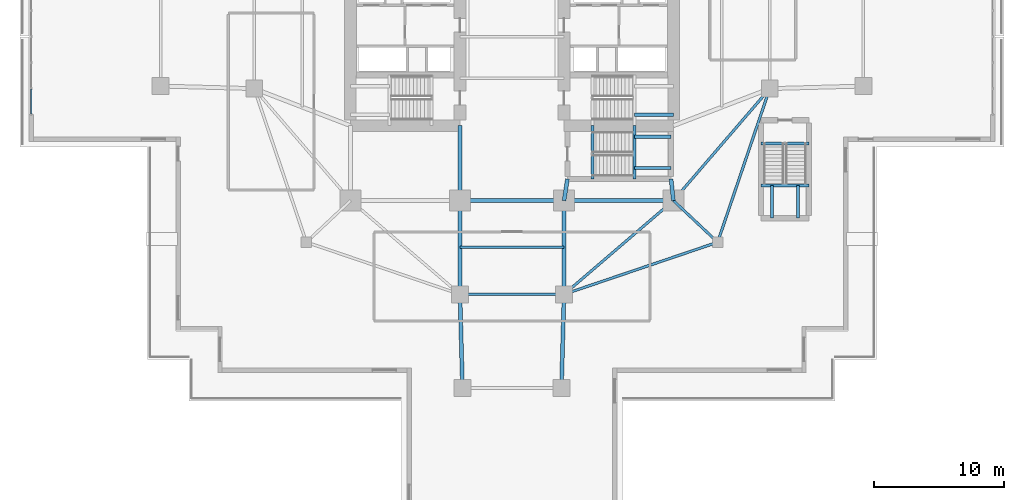
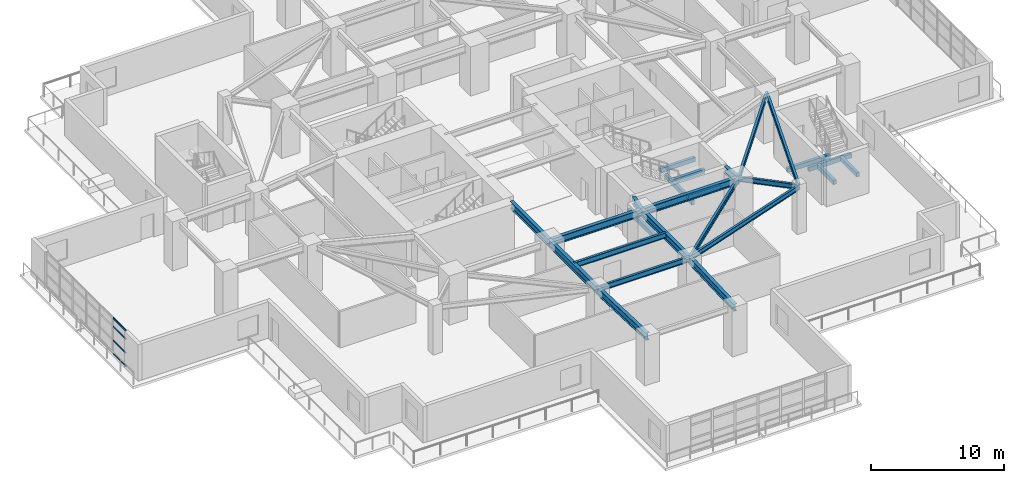
# One storey, part 6 of 24: 25 beams, 4 members, 1 element without a shape of its own.
"""IFC4 building model written with IfcOpenShell, lengths in metres."""

from ifc_helpers import new_model, si_unit, direction, frame, origin, origin_2d, place, context, subcontext, project, spatial, rectangle, hollow_rectangle, i_section, extrude, material, layer, layer_set, material_profile, profile_set, type_object, element, aggregate, save


model = new_model("IFC4")

# Units and contexts
model_context = context("Model", 3, precision=1e-05, world=origin(), true_north=direction((0.0, 1.0)))
body_context = subcontext(model_context, "Body", "Model", "MODEL_VIEW")
ifc_project = project(units=[si_unit("LENGTHUNIT", "METRE"), si_unit("AREAUNIT", "SQUARE_METRE"), si_unit("VOLUMEUNIT", "CUBIC_METRE"), si_unit("PLANEANGLEUNIT", "RADIAN"), si_unit("MASSUNIT", "GRAM", prefix="KILO")], contexts=[model_context])

# Site, building, storey
site_placement = place(None, origin())
site = spatial("IfcSite", under=ifc_project, at=site_placement, CompositionType="ELEMENT")
building_placement = place(site_placement, origin())
building = spatial("IfcBuilding", under=site, at=building_placement, Name="Qingluan Cross Belvedere", CompositionType="ELEMENT")
storey_placement = place(building_placement, frame((0.0, 0.0, 14.699951171875)))
storey = spatial("IfcBuildingStorey", under=building, at=storey_placement, Name="L04", CompositionType="ELEMENT", Elevation=14.699951171875)

# Curtain wall, members
ifc_material_1 = material(Name="Thermally broken aluminium and Low-E glass", Category="aluminium")
ifc_layer = layer(ifc_material_1, 0.219970703125, Name="UnitisedCW_BallroomFoyer")
ifc_layer_set = layer_set([ifc_layer], Name="Thermally broken aluminium and Low-E glass")
curtain_wall_type = type_object("IfcCurtainWallType", Name="UnitisedCW_BallroomFoyer", PredefinedType="USERDEFINED", material=ifc_layer_set)
curtain_wall_placement = place(storey_placement, origin())
curtain_wall = element("IfcCurtainWall", 1, at=curtain_wall_placement, inside=storey, type_object=curtain_wall_type, Name="UnitisedCW_BallroomFoyer run env:cw:L04:W", ObjectType="UNITISED CURTAIN WALL", PredefinedType="USERDEFINED")
ifc_material_2 = material(Name="Aluminium alloy 6063-T6", Category="aluminium")
ifc_material_profile_1 = material_profile(ifc_material_2, hollow_rectangle(XDim=0.074951171875, YDim=0.14990234375, WallThickness=0.00390625, InnerFilletRadius=0.00390625, OuterFilletRadius=0.008056640625, at=origin_2d()), Name="CWT150x75x4")
ifc_profile_set_1 = profile_set([ifc_material_profile_1], Name="Aluminium alloy 6063-T6")
member_type = type_object("IfcMemberType", Name="CWTransom_150", PredefinedType="USERDEFINED", material=ifc_profile_set_1)
member_1_placement = place(storey_placement, frame((-36.93994140625, -5.93994140625, 0.030029296875), z_axis=(0.0, 1.0, 0.0), x_axis=(-1.0, 0.0, 0.0)))
member_1 = element("IfcMember", 2, at=member_1_placement, type_object=member_type, Name="CW-P2 transom 1.1", ObjectType="TRANSOM", PredefinedType="USERDEFINED", context=body_context, shape_type="SweptSolid", body=[
    extrude(hollow_rectangle(XDim=0.074951171875, YDim=0.14990234375, WallThickness=0.00390625, InnerFilletRadius=0.00390625, OuterFilletRadius=0.008056640625, at=origin_2d()), origin(), (0.0, 0.0, 1.0), 1.909912109375),
])
member_2_placement = place(storey_placement, frame((-36.93994140625, -5.93994140625, 1.26513671875), z_axis=(0.0, 1.0, 0.0), x_axis=(-1.0, 0.0, 0.0)))
member_2 = element("IfcMember", 3, at=member_2_placement, type_object=member_type, Name="CW-P2 transom 1.2", ObjectType="TRANSOM", PredefinedType="USERDEFINED", context=body_context, shape_type="SweptSolid", body=[
    extrude(hollow_rectangle(XDim=0.074951171875, YDim=0.14990234375, WallThickness=0.00390625, InnerFilletRadius=0.00390625, OuterFilletRadius=0.008056640625, at=origin_2d()), origin(), (0.0, 0.0, 1.0), 1.909912109375),
])
member_3_placement = place(storey_placement, frame((-36.93994140625, -5.93994140625, 2.531005859375), z_axis=(0.0, 1.0, 0.0), x_axis=(-1.0, 0.0, 0.0)))
member_3 = element("IfcMember", 4, at=member_3_placement, type_object=member_type, Name="CW-P2 transom 1.3", ObjectType="TRANSOM", PredefinedType="USERDEFINED", context=body_context, shape_type="SweptSolid", body=[
    extrude(hollow_rectangle(XDim=0.074951171875, YDim=0.14990234375, WallThickness=0.00390625, InnerFilletRadius=0.00390625, OuterFilletRadius=0.008056640625, at=origin_2d()), origin(), (0.0, 0.0, 1.0), 1.909912109375),
])
member_4_placement = place(storey_placement, frame((-36.93994140625, -5.93994140625, 3.300048828125), z_axis=(0.0, 1.0, 0.0), x_axis=(-1.0, 0.0, 0.0)))
member_4 = element("IfcMember", 5, at=member_4_placement, type_object=member_type, Name="CW-P2 transom 1.4", ObjectType="TRANSOM", PredefinedType="USERDEFINED", context=body_context, shape_type="SweptSolid", body=[
    extrude(hollow_rectangle(XDim=0.074951171875, YDim=0.14990234375, WallThickness=0.00390625, InnerFilletRadius=0.00390625, OuterFilletRadius=0.008056640625, at=origin_2d()), origin(), (0.0, 0.0, 1.0), 1.909912109375),
])
aggregate(curtain_wall, [member_1, member_2, member_3, member_4])

# Beams
ifc_material_3 = material(Name="Concrete C45", Category="concrete")
ifc_material_profile_2 = material_profile(ifc_material_3, rectangle(XDim=0.25, YDim=0.39990234375, at=origin_2d()), Name="RC250x400")
ifc_profile_set_2 = profile_set([ifc_material_profile_2], Name="Concrete C45")
beam_type_1 = type_object("IfcBeamType", Name="RC_Lintel_RC250x400", PredefinedType="LINTEL", material=ifc_profile_set_2)
beam_1_placement = place(storey_placement, frame((6.179931640625, -10.93994140625, -0.199951171875), z_axis=(0.0, 1.0, 0.0), x_axis=(-1.0, 0.0, 0.0)))
element("IfcBeam", 6, at=beam_1_placement, inside=storey, type_object=beam_type_1, Name="Stair ST4 landing beam L04", PredefinedType="LINTEL", context=body_context, shape_type="SweptSolid", body=[
    extrude(rectangle(XDim=0.25, YDim=0.39990234375, at=origin_2d()), origin(), (0.0, 0.0, 1.0), 4.08984375),
])
beam_2_placement = place(storey_placement, frame((19.1201171875, -8.2099609375, -0.199951171875), z_axis=(1.0, 0.0, 0.0), x_axis=(0.0, 1.0, 0.0)))
element("IfcBeam", 7, at=beam_2_placement, inside=storey, type_object=beam_type_1, Name="Stair ST6 landing beam L04", PredefinedType="LINTEL", context=body_context, shape_type="SweptSolid", body=[
    extrude(rectangle(XDim=0.25, YDim=0.39990234375, at=origin_2d()), origin(), (0.0, 0.0, 1.0), 3.699951171875),
])
beam_3_placement = place(storey_placement, frame((12.39990234375, -6.0, 1.85009765625), z_axis=(-1.0, 0.0, 0.0), x_axis=(0.0, -1.0, 0.0)))
element("IfcBeam", 8, at=beam_3_placement, inside=storey, type_object=beam_type_1, Name="Stair ST2 beam B L04", PredefinedType="LINTEL", context=body_context, shape_type="SweptSolid", body=[
    extrude(rectangle(XDim=0.25, YDim=0.39990234375, at=origin_2d()), origin(), (0.0, 0.0, 1.0), 2.989990234375),
])
beam_4_placement = place(storey_placement, frame((9.409912109375, -10.93994140625, 1.85009765625), z_axis=(0.0, 1.0, 0.0), x_axis=(-1.0, 0.0, 0.0)))
element("IfcBeam", 9, at=beam_4_placement, inside=storey, type_object=beam_type_1, Name="Stair ST4 beam A L04", PredefinedType="LINTEL", context=body_context, shape_type="SweptSolid", body=[
    extrude(rectangle(XDim=0.25, YDim=0.39990234375, at=origin_2d()), origin(), (0.0, 0.0, 1.0), 4.08984375),
])
for number, where, z_axis, x_axis, name in (
    (10, (12.219970703125, -10.090087890625, 1.85009765625), (-1.0, 0.0, 0.0), (0.0, -1.0, 0.0), "Stair ST4 beam B L04"),
    (11, (12.219970703125, -7.699951171875, 1.85009765625), (-1.0, 0.0, 0.0), (0.0, -1.0, 0.0), "Stair ST4 beam C L04"),
):
    element("IfcBeam", number, at=place(storey_placement, frame(where, z_axis=z_axis, x_axis=x_axis)), inside=storey, type_object=beam_type_1, Name=name, PredefinedType="LINTEL", context=body_context, shape_type="SweptSolid", body=[
        extrude(rectangle(XDim=0.25, YDim=0.39990234375, at=origin_2d()), origin(), (0.0, 0.0, 1.0), 2.81005859375),
    ])
beam_5_placement = place(storey_placement, frame((19.1201171875, -11.43994140625, 1.85009765625), z_axis=(1.0, 0.0, 0.0), x_axis=(0.0, 1.0, 0.0)))
element("IfcBeam", 12, at=beam_5_placement, inside=storey, type_object=beam_type_1, Name="Stair ST6 beam A L04", PredefinedType="LINTEL", context=body_context, shape_type="SweptSolid", body=[
    extrude(rectangle(XDim=0.25, YDim=0.39990234375, at=origin_2d()), origin(), (0.0, 0.0, 1.0), 3.699951171875),
])
for number, where, z_axis, x_axis, name in (
    (13, (19.969970703125, -13.949951171875, 1.85009765625), (0.0, 1.0, 0.0), (-1.0, 0.0, 0.0), "Stair ST6 beam B L04"),
    (14, (21.969970703125, -13.949951171875, 1.85009765625), (0.0, 1.0, 0.0), (-1.0, 0.0, 0.0), "Stair ST6 beam C L04"),
):
    element("IfcBeam", number, at=place(storey_placement, frame(where, z_axis=z_axis, x_axis=x_axis)), inside=storey, type_object=beam_type_1, Name=name, PredefinedType="LINTEL", context=body_context, shape_type="SweptSolid", body=[
        extrude(rectangle(XDim=0.25, YDim=0.39990234375, at=origin_2d()), origin(), (0.0, 0.0, 1.0), 2.510009765625),
    ])
ifc_material_4 = material(Name="Steel Q420GJB", Category="steel")
ifc_material_profile_3 = material_profile(ifc_material_4, i_section(OverallWidth=0.199951171875, OverallDepth=0.449951171875, WebThickness=0.009033203125, FlangeThickness=0.013916015625, FilletRadius=0.01611328125, at=origin_2d()), Name="HN450x200x9x14")
ifc_profile_set_3 = profile_set([ifc_material_profile_3], Name="Steel Q420GJB")
beam_type_2 = type_object("IfcBeamType", Name="Steel_Beam_HN450x200x9x14", PredefinedType="JOIST", material=ifc_profile_set_3)
beam_6_placement = place(storey_placement, frame((12.39990234375, -12.60009765625, 4.025146484375), z_axis=(0.728219948308, -0.685343495546, 0.0), x_axis=(0.685343495546, 0.728219948308, 0.0)))
element("IfcBeam", 15, at=beam_6_placement, inside=storey, type_object=beam_type_2, Name="Corner beam 1 L04-RSE", PredefinedType="JOIST", context=body_context, shape_type="SweptSolid", body=[
    extrude(i_section(OverallWidth=0.199951171875, OverallDepth=0.449951171875, WebThickness=0.009033203125, FlangeThickness=0.013916015625, FilletRadius=0.01611328125, at=origin_2d()), origin(), (0.0, 0.0, 1.0), 4.669189453125),
])
for number, where, z_axis, x_axis, name in (
    (16, (15.800048828125, -15.800048828125, 4.025146484375), (-0.947066283324, -0.321038089628, 0.0), (0.321038089628, -0.947066283324, 0.0), "Corner beam 2 L04-RSE"),
    (17, (15.800048828125, -15.800048828125, 4.025146484375), (0.321038089628, 0.947066283324, 0.0), (-0.947066283324, 0.321038089628, 0.0), "Corner beam 3 L04-RSE"),
):
    element("IfcBeam", number, at=place(storey_placement, frame(where, z_axis=z_axis, x_axis=x_axis)), inside=storey, type_object=beam_type_2, Name=name, PredefinedType="JOIST", context=body_context, shape_type="SweptSolid", body=[
        extrude(i_section(OverallWidth=0.199951171875, OverallDepth=0.449951171875, WebThickness=0.009033203125, FlangeThickness=0.013916015625, FilletRadius=0.01611328125, at=origin_2d()), origin(), (0.0, 0.0, 1.0), 12.45947265625),
    ])
beam_7_placement = place(storey_placement, frame((12.39990234375, -12.60009765625, 4.025146484375), z_axis=(0.652245077546, 0.75800815221, 0.0), x_axis=(-0.75800815221, 0.652245077546, 0.0)))
element("IfcBeam", 18, at=beam_7_placement, inside=storey, type_object=beam_type_2, Name="Corner beam 4 L04-RSE", PredefinedType="JOIST", context=body_context, shape_type="SweptSolid", body=[
    extrude(i_section(OverallWidth=0.199951171875, OverallDepth=0.449951171875, WebThickness=0.009033203125, FlangeThickness=0.013916015625, FilletRadius=0.01611328125, at=origin_2d()), origin(), (0.0, 0.0, 1.0), 11.345703125),
])
beam_8_placement = place(storey_placement, frame((12.39990234375, -12.60009765625, 4.025146484375), z_axis=(-0.759255044656, -0.650793190779, 0.0), x_axis=(0.650793190779, -0.759255044656, 0.0)))
element("IfcBeam", 19, at=beam_8_placement, inside=storey, type_object=beam_type_2, Name="Corner beam 5 L04-RSE", PredefinedType="JOIST", context=body_context, shape_type="SweptSolid", body=[
    extrude(i_section(OverallWidth=0.199951171875, OverallDepth=0.449951171875, WebThickness=0.009033203125, FlangeThickness=0.013916015625, FilletRadius=0.01611328125, at=origin_2d()), origin(), (0.0, 0.0, 1.0), 11.063232421875),
])
ifc_material_5 = material(Name="Steel Q420GJB", Category="steel")
ifc_material_profile_4 = material_profile(ifc_material_5, i_section(OverallWidth=0.199951171875, OverallDepth=0.5, WebThickness=0.010009765625, FlangeThickness=0.01611328125, FilletRadius=0.01611328125, at=origin_2d()), Name="HN500x200x10x16")
ifc_profile_set_4 = profile_set([ifc_material_profile_4], Name="Steel Q420GJB")
beam_type_3 = type_object("IfcBeamType", Name="Steel_Beam_HN500x200x10x16", PredefinedType="JOIST", material=ifc_profile_set_4)
for number, where, z_axis, x_axis, name in (
    (20, (-4.0, -19.800048828125, 4.0), (1.0, 0.0, 0.0), (0.0, 1.0, 0.0), "Arm S tie L04"),
    (21, (-4.0, -16.199951171875, 4.0), (1.0, 0.0, 0.0), (0.0, 1.0, 0.0), "Arm S beam L04"),
):
    element("IfcBeam", number, at=place(storey_placement, frame(where, z_axis=z_axis, x_axis=x_axis)), inside=storey, type_object=beam_type_3, Name=name, PredefinedType="JOIST", context=body_context, shape_type="SweptSolid", body=[
        extrude(i_section(OverallWidth=0.199951171875, OverallDepth=0.5, WebThickness=0.010009765625, FlangeThickness=0.01611328125, FilletRadius=0.01611328125, at=origin_2d()), origin(), (0.0, 0.0, 1.0), 8.0),
    ])
ifc_material_6 = material(Name="Steel Q420GJB", Category="steel")
ifc_material_profile_5 = material_profile(ifc_material_6, i_section(OverallWidth=0.300048828125, OverallDepth=0.64990234375, WebThickness=0.014404296875, FlangeThickness=0.02587890625, FilletRadius=0.027099609375, at=origin_2d()), Name="HEB650")
ifc_profile_set_5 = profile_set([ifc_material_profile_5], Name="Steel Q420GJB")
beam_type_4 = type_object("IfcBeamType", Name="Steel_Girder_HEB650", PredefinedType="USERDEFINED", material=ifc_profile_set_5)
beam_9_placement = place(storey_placement, frame((-4.0, -12.60009765625, 3.925048828125), z_axis=(1.0, 0.0, 0.0), x_axis=(0.0, 1.0, 0.0)))
element("IfcBeam", 22, at=beam_9_placement, inside=storey, type_object=beam_type_4, Name="Hub girder L04-HG-S2", ObjectType="GIRDER", PredefinedType="USERDEFINED", context=body_context, shape_type="SweptSolid", body=[
    extrude(i_section(OverallWidth=0.300048828125, OverallDepth=0.64990234375, WebThickness=0.014404296875, FlangeThickness=0.02587890625, FilletRadius=0.027099609375, at=origin_2d()), origin(), (0.0, 0.0, 1.0), 8.0),
])
beam_10_placement = place(storey_placement, frame((4.0, -12.60009765625, 3.925048828125), z_axis=(1.0, 0.0, 0.0), x_axis=(0.0, 1.0, 0.0)))
element("IfcBeam", 23, at=beam_10_placement, inside=storey, type_object=beam_type_4, Name="Hub girder L04-HG-S3", ObjectType="GIRDER", PredefinedType="USERDEFINED", context=body_context, shape_type="SweptSolid", body=[
    extrude(i_section(OverallWidth=0.300048828125, OverallDepth=0.64990234375, WebThickness=0.014404296875, FlangeThickness=0.02587890625, FilletRadius=0.027099609375, at=origin_2d()), origin(), (0.0, 0.0, 1.0), 8.39990234375),
])
beam_11_placement = place(storey_placement, frame((12.39990234375, -12.60009765625, 3.925048828125), z_axis=(-0.107751337451, 0.994177876075, 0.0), x_axis=(-0.994177876075, -0.107751337451, 0.0)))
element("IfcBeam", 24, at=beam_11_placement, inside=storey, type_object=beam_type_4, Name="Hub girder L04-HG-E1", ObjectType="GIRDER", PredefinedType="USERDEFINED", context=body_context, shape_type="SweptSolid", body=[
    extrude(i_section(OverallWidth=0.300048828125, OverallDepth=0.64990234375, WebThickness=0.014404296875, FlangeThickness=0.02587890625, FilletRadius=0.027099609375, at=origin_2d()), origin(), (0.0, 0.0, 1.0), 1.669921875),
])
beam_12_placement = place(storey_placement, frame((-4.0, -12.60009765625, 3.925048828125), z_axis=(0.0, 1.0, 0.0), x_axis=(-1.0, 0.0, 0.0)))
element("IfcBeam", 25, at=beam_12_placement, inside=storey, type_object=beam_type_4, Name="Hub girder L04-HG-CW", ObjectType="GIRDER", PredefinedType="USERDEFINED", context=body_context, shape_type="SweptSolid", body=[
    extrude(i_section(OverallWidth=0.300048828125, OverallDepth=0.64990234375, WebThickness=0.014404296875, FlangeThickness=0.02587890625, FilletRadius=0.027099609375, at=origin_2d()), origin(), (0.0, 0.0, 1.0), 5.75),
])
beam_13_placement = place(storey_placement, frame((4.0, -12.60009765625, 3.925048828125), z_axis=(0.154731433337, 0.987956569662, 0.0), x_axis=(-0.987956569662, 0.154731433337, 0.0)))
element("IfcBeam", 26, at=beam_13_placement, inside=storey, type_object=beam_type_4, Name="Hub girder L04-HG-CE", ObjectType="GIRDER", PredefinedType="USERDEFINED", context=body_context, shape_type="SweptSolid", body=[
    extrude(i_section(OverallWidth=0.300048828125, OverallDepth=0.64990234375, WebThickness=0.014404296875, FlangeThickness=0.02587890625, FilletRadius=0.027099609375, at=origin_2d()), origin(), (0.0, 0.0, 1.0), 1.680419921875),
])
for number, where, z_axis, x_axis, name in (
    (27, (-4.0, -12.60009765625, 3.925048828125), (0.0, -1.0, 0.0), (1.0, 0.0, 0.0), "Arm S radial girder A L04"),
    (28, (4.0, -12.60009765625, 3.925048828125), (0.0, -1.0, 0.0), (1.0, 0.0, 0.0), "Arm S radial girder B L04"),
):
    element("IfcBeam", number, at=place(storey_placement, frame(where, z_axis=z_axis, x_axis=x_axis)), inside=storey, type_object=beam_type_4, Name=name, ObjectType="GIRDER", PredefinedType="USERDEFINED", context=body_context, shape_type="SweptSolid", body=[
        extrude(i_section(OverallWidth=0.300048828125, OverallDepth=0.64990234375, WebThickness=0.014404296875, FlangeThickness=0.02587890625, FilletRadius=0.027099609375, at=origin_2d()), origin(), (0.0, 0.0, 1.0), 7.199951171875),
    ])
for number, where, z_axis, x_axis, name in (
    (29, (-4.0, -19.800048828125, 3.925048828125), (0.027760481514, -0.999614603568, 0.0), (0.999614603568, 0.027760481514, 0.0), "Arm S outer radial girder A L04"),
    (30, (4.0, -19.800048828125, 3.925048828125), (-0.027760481514, -0.999614603568, 0.0), (0.999614603568, -0.027760481514, 0.0), "Arm S outer radial girder B L04"),
):
    element("IfcBeam", number, at=place(storey_placement, frame(where, z_axis=z_axis, x_axis=x_axis)), inside=storey, type_object=beam_type_4, Name=name, ObjectType="GIRDER", PredefinedType="USERDEFINED", context=body_context, shape_type="SweptSolid", body=[
        extrude(i_section(OverallWidth=0.300048828125, OverallDepth=0.64990234375, WebThickness=0.014404296875, FlangeThickness=0.02587890625, FilletRadius=0.027099609375, at=origin_2d()), origin(), (0.0, 0.0, 1.0), 7.20263671875),
    ])

save(model, "model.ifc")
